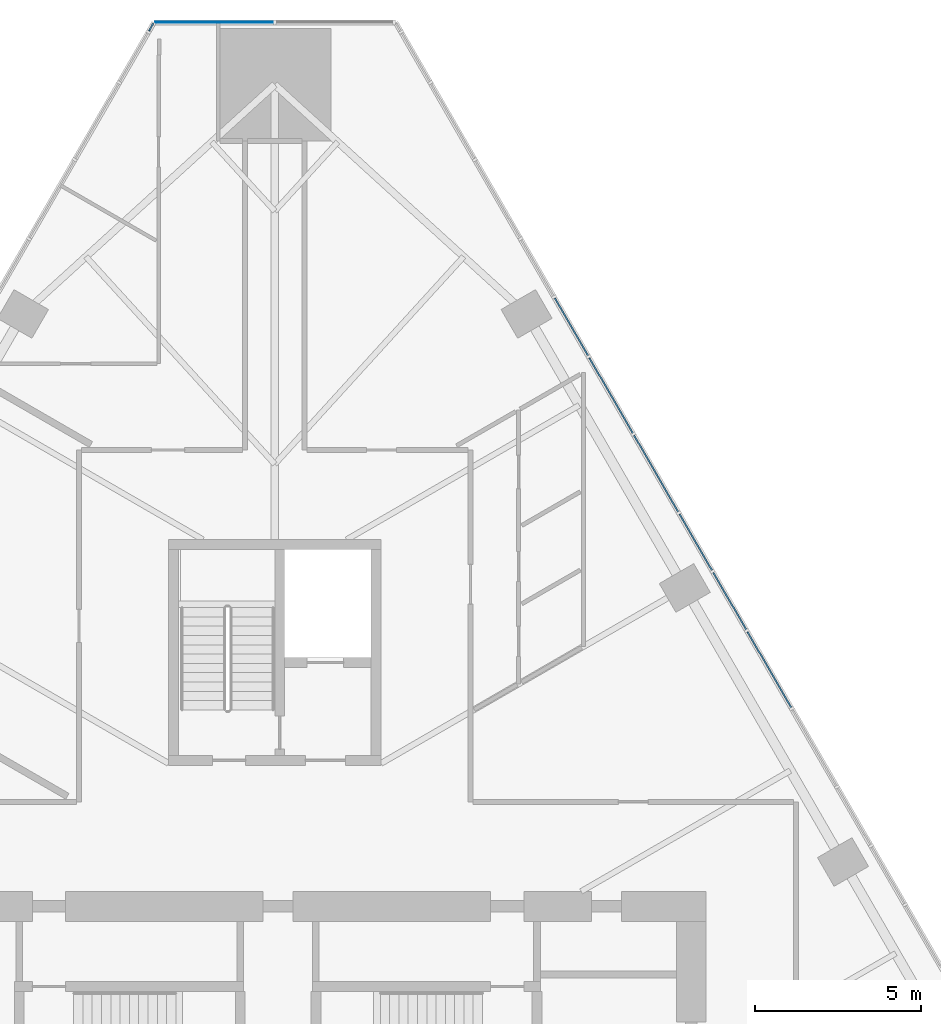
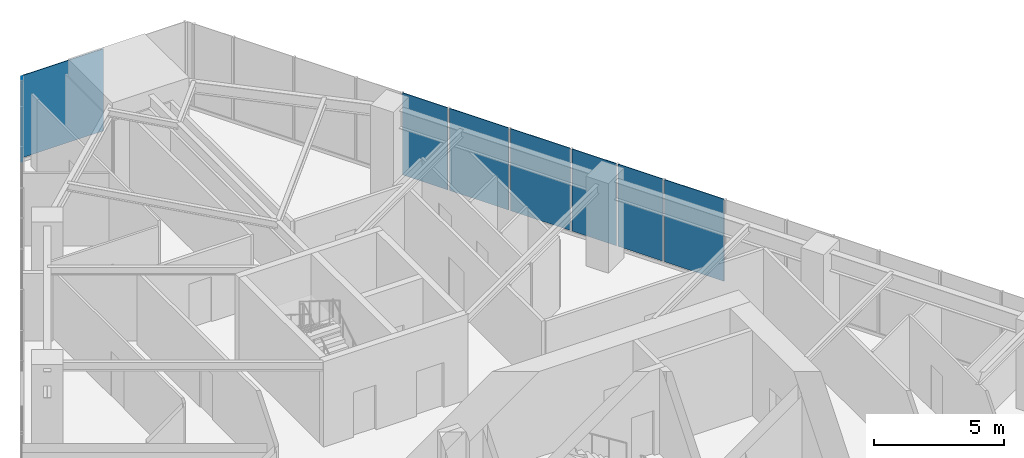
# One storey, part 17 of 26: 8 plates, 3 elements without a shape of their own.
"""IFC4 building model written with IfcOpenShell, lengths in metres."""

from ifc_helpers import new_model, si_unit, direction, frame, origin, place, context, subcontext, project, spatial, polyline, outline, extrude, material, layer, layer_set, type_object, element, aggregate, save


model = new_model("IFC4")

# Units and contexts
model_context = context("Model", 3, precision=1e-05, world=origin(), true_north=direction((0.0, 1.0)))
body_context = subcontext(model_context, "Body", "Model", "MODEL_VIEW")
ifc_project = project(units=[si_unit("LENGTHUNIT", "METRE"), si_unit("AREAUNIT", "SQUARE_METRE"), si_unit("VOLUMEUNIT", "CUBIC_METRE"), si_unit("PLANEANGLEUNIT", "RADIAN"), si_unit("MASSUNIT", "GRAM", prefix="KILO")], contexts=[model_context])

# Site, building, storey
site_placement = place(None, origin())
site = spatial("IfcSite", under=ifc_project, at=site_placement, CompositionType="ELEMENT")
building_placement = place(site_placement, origin())
building = spatial("IfcBuilding", under=site, at=building_placement, Name="Firuza Gate Tower and Library", CompositionType="ELEMENT")
storey_placement = place(building_placement, frame((0.0, 0.0, 65.199951171875)))
storey = spatial("IfcBuildingStorey", under=building, at=storey_placement, Name="L14", CompositionType="ELEMENT", Elevation=65.199951171875)

# Curtain wall, plate
ifc_material_1 = material(Name="Aluminium 6063-T6", Category="aluminium")
ifc_layer_1 = layer(ifc_material_1, 0.14990234375)
ifc_layer_set_1 = layer_set([ifc_layer_1], Name="Corner curtain wall, chamfers")
curtain_wall_type_1 = type_object("IfcCurtainWallType", Name="Corner curtain wall, chamfers", PredefinedType="NOTDEFINED", material=ifc_layer_set_1)
placement = place(storey_placement, origin())
curtain_wall_1 = element("IfcCurtainWall", 1, at=placement, inside=storey, type_object=curtain_wall_type_1, Name="CW4 L14 N corner", PredefinedType="NOTDEFINED")
ifc_material_2 = material(Name="Fritted glass", Category="glass")
ifc_layer_2 = layer(ifc_material_2, 0.030029296875)
ifc_layer_set_2 = layer_set([ifc_layer_2], Name="Fritted glass unit, corners")
plate_type_1 = type_object("IfcPlateType", Name="Fritted glass unit, corners", PredefinedType="CURTAIN_PANEL", material=ifc_layer_set_2)
plate_1_placement = place(storey_placement, frame((74.9599609375, 110.19677734375, 0.150146484375), z_axis=(0.0, 1.0, 0.0), x_axis=(-1.0, 0.0, 0.0)))
plate_1 = element("IfcPlate", 2, at=plate_1_placement, type_object=plate_type_1, Name="Glass unit", PredefinedType="CURTAIN_PANEL", context=body_context, shape_type="SweptSolid", body=[
    extrude(outline(polyline([(0.0, 0.0), (3.563232421875, 0.0), (3.563232421875, 3.849853515625), (0.0, 3.849853515625), (0.0, 0.0)])), origin(), (0.0, 0.0, -1.0), 0.030029296875),
])
aggregate(curtain_wall_1, [plate_1])

# Curtain wall, plates
ifc_material_3 = material(Name="Aluminium 6063-T6", Category="aluminium")
ifc_layer_3 = layer(ifc_material_3, 0.14990234375)
ifc_layer_set_3 = layer_set([ifc_layer_3], Name="Unitised curtain wall, offices")
curtain_wall_type_2 = type_object("IfcCurtainWallType", Name="Unitised curtain wall, offices", PredefinedType="NOTDEFINED", material=ifc_layer_set_3)
curtain_wall_2 = element("IfcCurtainWall", 3, at=placement, inside=storey, type_object=curtain_wall_type_2, Name="CW1 L14 E face", PredefinedType="NOTDEFINED")
ifc_material_4 = material(Name="Fritted glass", Category="glass")
ifc_layer_4 = layer(ifc_material_4, 0.030029296875)
ifc_layer_set_4 = layer_set([ifc_layer_4], Name="Fritted glass unit, offices")
plate_type_2 = type_object("IfcPlateType", Name="Fritted glass unit, offices", PredefinedType="CURTAIN_PANEL", material=ifc_layer_set_4)
plate_2_placement = place(storey_placement, frame((89.21728515625, 91.897216796875, 0.150146484375), z_axis=(0.865992964694, 0.500056181943, 0.0), x_axis=(-0.500056181943, 0.865992964694, 0.0)))
plate_2 = element("IfcPlate", 4, at=plate_2_placement, type_object=plate_type_2, Name="Glass unit", PredefinedType="CURTAIN_PANEL", context=body_context, shape_type="SweptSolid", body=[
    extrude(outline(polyline([(0.0, 0.0), (1.984152052963168, 0.0), (1.984152052963168, 3.849853515625), (0.0, 3.849853515625), (0.0, 0.0)])), origin(), (0.0, 0.0, -1.0), 0.030029296875),
])
plate_3_placement = place(storey_placement, frame((88.185302734375, 93.684814453125, 0.150146484375), z_axis=(0.865998449813, 0.500046682742, 0.0), x_axis=(-0.500046682742, 0.865998449813, 0.0)))
plate_3 = element("IfcPlate", 5, at=plate_3_placement, type_object=plate_type_2, Name="Glass unit", PredefinedType="CURTAIN_PANEL", context=body_context, shape_type="SweptSolid", body=[
    extrude(outline(polyline([(0.0, 0.0), (1.9553838408900117, 0.0), (1.9553838408900117, 3.849853515625), (0.0, 3.849853515625), (0.0, 0.0)])), origin(), (0.0, 0.0, -1.0), 0.030029296875),
])
plate_4_placement = place(storey_placement, frame((84.449951171875, 100.154296875, 0.150146484375), z_axis=(0.866016731412, 0.500015020689, 0.0), x_axis=(-0.500015020689, 0.866016731412, 0.0)))
plate_4 = element("IfcPlate", 6, at=plate_4_placement, type_object=plate_type_2, Name="Glass unit", PredefinedType="CURTAIN_PANEL", context=body_context, shape_type="SweptSolid", body=[
    extrude(outline(polyline([(0.0, 0.0), (1.9984751193015504, 0.0), (1.9984751193015504, 3.849853515625), (0.0, 3.849853515625), (0.0, 0.0)])), origin(), (0.0, 0.0, -1.0), 0.030029296875),
])
ifc_material_5 = material(Name="Glazed ceramic tile")
ifc_layer_5 = layer(ifc_material_5, 0.030029296875)
ifc_layer_set_5 = layer_set([ifc_layer_5], Name="Opaque ceramic panel, offices")
plate_type_3 = type_object("IfcPlateType", Name="Opaque ceramic panel, offices", PredefinedType="CURTAIN_PANEL", material=ifc_layer_set_5)
plate_5_placement = place(storey_placement, frame((90.572509765625, 89.550048828125, 0.150146484375), z_axis=(0.866012462029, 0.500022415107, 0.0), x_axis=(-0.500022415107, 0.866012462029, 0.0)))
plate_5 = element("IfcPlate", 7, at=plate_5_placement, type_object=plate_type_3, Name="Opaque ceramic panel", PredefinedType="CURTAIN_PANEL", context=body_context, shape_type="SweptSolid", body=[
    extrude(outline(polyline([(0.0, 0.0), (2.630253178934947, 0.0), (2.630253178934947, 3.849853515625), (0.0, 3.849853515625), (0.0, 0.0)])), origin(), (0.0, 0.0, -1.0), 0.030029296875),
])
plate_6_placement = place(storey_placement, frame((87.16748046875, 95.447265625, 0.150146484375), z_axis=(0.866031171652, 0.499990009627, 0.0), x_axis=(-0.499990009627, 0.866031171652, 0.0)))
plate_6 = element("IfcPlate", 8, at=plate_6_placement, type_object=plate_type_3, Name="Opaque ceramic panel", PredefinedType="CURTAIN_PANEL", context=body_context, shape_type="SweptSolid", body=[
    extrude(outline(polyline([(0.0, 0.0), (2.659232820952968, 0.0), (2.659232820952968, 3.849853515625001), (0.0, 3.849853515625001), (0.0, 0.0)])), origin(), (0.0, 0.0, -1.0), 0.030029296875),
])
plate_7_placement = place(storey_placement, frame((85.7978515625, 97.819580078125, 0.150146484375), z_axis=(0.866034826131, 0.499983679662, 0.0), x_axis=(-0.499983679662, 0.866034826131, 0.0)))
plate_7 = element("IfcPlate", 9, at=plate_7_placement, type_object=plate_type_3, Name="Opaque ceramic panel", PredefinedType="CURTAIN_PANEL", context=body_context, shape_type="SweptSolid", body=[
    extrude(outline(polyline([(0.0, 0.0), (2.615808037992754, 0.0), (2.615808037992754, 3.849853515625), (0.0, 3.849853515625), (0.0, 0.0)])), origin(), (0.0, 0.0, -1.0), 0.030029296875),
])
aggregate(curtain_wall_2, [plate_5, plate_2, plate_3, plate_6, plate_7, plate_4])

# Curtain wall, plate
curtain_wall_3 = element("IfcCurtainWall", 10, at=placement, inside=storey, type_object=curtain_wall_type_2, Name="CW1 L14 W face", PredefinedType="NOTDEFINED")
plate_8_placement = place(storey_placement, frame((71.32373046875, 110.154541015625, 0.150146484375), z_axis=(-0.865780878536, 0.500423291185, 0.0), x_axis=(-0.500423291185, -0.865780878536, 0.0)))
plate_8 = element("IfcPlate", 11, at=plate_8_placement, type_object=plate_type_3, Name="Opaque ceramic panel", PredefinedType="CURTAIN_PANEL", context=body_context, shape_type="SweptSolid", body=[
    extrude(outline(polyline([(0.0, 0.0), (0.2512521381192305, 0.0), (0.2512521381192305, 3.849853515625), (0.0, 3.849853515625), (0.0, 0.0)])), origin(), (0.0, 0.0, -1.0), 0.030029296875),
])
aggregate(curtain_wall_3, [plate_8])

save(model, "model.ifc")
